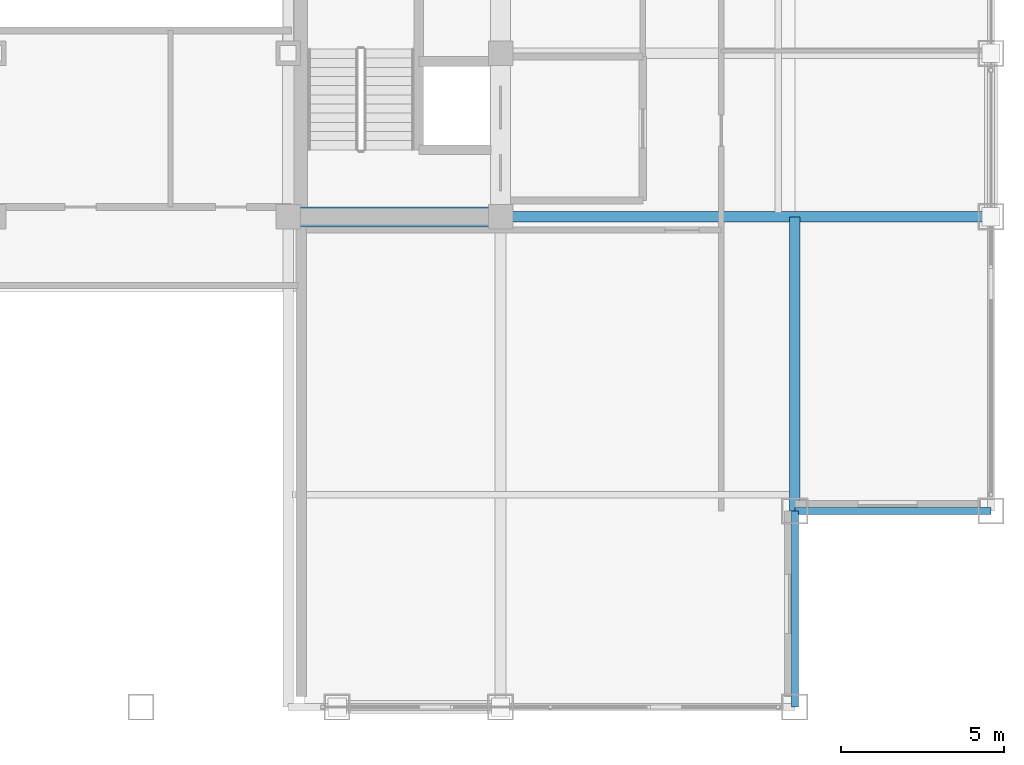
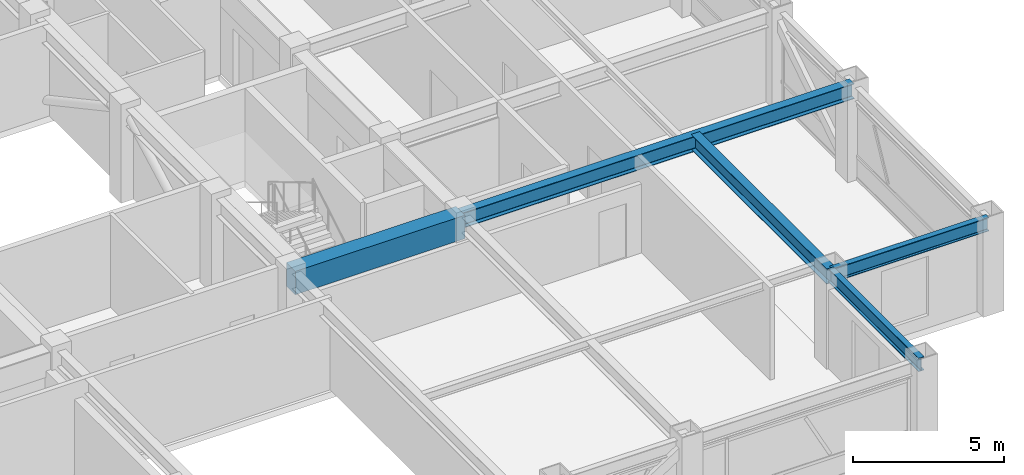
# One storey, part 11 of 29: 5 beams.
"""IFC4 building model written with IfcOpenShell, lengths in metres."""

from ifc_helpers import new_model, si_unit, direction, frame, origin, origin_2d, place, context, subcontext, project, spatial, rectangle, i_section, extrude, source, transform, mapped, material, material_profile, profile_set, type_object, element, save


model = new_model("IFC4")

# Units and contexts
model_context = context("Model", 3, precision=1e-05, world=origin(), true_north=direction((0.0, 1.0)))
body_context = subcontext(model_context, "Body", "Model", "MODEL_VIEW")
ifc_project = project(units=[si_unit("LENGTHUNIT", "METRE"), si_unit("AREAUNIT", "SQUARE_METRE"), si_unit("VOLUMEUNIT", "CUBIC_METRE"), si_unit("PLANEANGLEUNIT", "RADIAN"), si_unit("MASSUNIT", "GRAM", prefix="KILO")], contexts=[model_context])

# Site, building, storey
site_placement = place(None, origin())
site = spatial("IfcSite", under=ifc_project, at=site_placement, CompositionType="ELEMENT")
building_placement = place(site_placement, origin())
building = spatial("IfcBuilding", under=site, at=building_placement, Name="Khorayat Bourse Tower", CompositionType="ELEMENT")
storey_placement = place(building_placement, frame((0.0, 0.0, 350.300048828125)))
storey = spatial("IfcBuildingStorey", under=building, at=storey_placement, Name="L83", CompositionType="ELEMENT", Elevation=350.300048828125)

# Beams
ifc_material_1 = material(Name="Concrete C60/75", Category="concrete")
ifc_material_profile_1 = material_profile(ifc_material_1, rectangle(XDim=0.60009765625, YDim=0.949951171875, at=origin_2d()), Name="RC 600x950")
ifc_profile_set_1 = profile_set([ifc_material_profile_1], Name="Concrete C60/75")
beam_type_1 = type_object("IfcBeamType", Name="BM-COUP-950", PredefinedType="BEAM", material=ifc_profile_set_1)
shared_shape_1 = source(origin(), body_context, "Body", "SweptSolid", [
    extrude(rectangle(XDim=0.60009765625, YDim=0.949951171875, at=origin_2d()), origin(), (0.0, 0.0, 1.0), 6.5),
])
beam_1_placement = place(storey_placement, frame((4.5, -11.0, 3.264892578125), z_axis=(1.0, 0.0, 0.0), x_axis=(0.0, 1.0, 0.0)))
element("IfcBeam", 1, at=beam_1_placement, inside=storey, type_object=beam_type_1, Name="L83 BM-COUP-950 BM-L83-CRY-18", PredefinedType="BEAM", context=body_context, shape_type="MappedRepresentation", body=[
    mapped(shared_shape_1, transform((0.0, 0.0, 0.0), scale=1.0)),
])
ifc_material_2 = material(Name="Steel ASTM A992 Grade 50", Category="steel")
ifc_material_profile_2 = material_profile(ifc_material_2, i_section(OverallWidth=0.214111328125, OverallDepth=0.549072265625, WebThickness=0.0146484375, FlangeThickness=0.023681640625, FilletRadius=0.013916015625, at=origin_2d()), Name="W530X138")
ifc_profile_set_2 = profile_set([ifc_material_profile_2], Name="Steel ASTM A992 Grade 50")
beam_type_2 = type_object("IfcBeamType", Name="BM-SPAN-530", PredefinedType="SPANDREL", material=ifc_profile_set_2)
shared_shape_2 = source(origin(), body_context, "Body", "SweptSolid", [
    extrude(i_section(OverallWidth=0.214111328125, OverallDepth=0.549072265625, WebThickness=0.0146484375, FlangeThickness=0.023681640625, FilletRadius=0.013916015625, at=origin_2d()), origin(), (0.0, 0.0, 1.0), 6.0),
])
for number, where, z_axis, x_axis, name in (
    (2, (20.0, -26.0, 3.46533203125), (0.0, 1.0, 0.0), (-1.0, 0.0, 0.0), "L83 BM-SPAN-530 BM-L83-SPN-027"),
    (3, (20.0, -20.0, 3.46533203125), (1.0, 0.0, 0.0), (0.0, 1.0, 0.0), "L83 BM-SPAN-530 BM-L83-SPN-028"),
):
    element("IfcBeam", number, at=place(storey_placement, frame(where, z_axis=z_axis, x_axis=x_axis)), inside=storey, type_object=beam_type_2, Name=name, PredefinedType="SPANDREL", context=body_context, shape_type="MappedRepresentation", body=[
        mapped(shared_shape_2, transform((0.0, 0.0, 0.0), scale=1.0)),
    ])
ifc_material_profile_3 = material_profile(ifc_material_2, i_section(OverallWidth=0.324951171875, OverallDepth=0.615966796875, WebThickness=0.013916015625, FlangeThickness=0.021484375, FilletRadius=0.01611328125, at=origin_2d()), Name="W610X174")
ifc_profile_set_3 = profile_set([ifc_material_profile_3], Name="Steel ASTM A992 Grade 50")
beam_type_3 = type_object("IfcBeamType", Name="BM-GIRD-610", PredefinedType="BEAM", material=ifc_profile_set_3)
shared_shape_3 = source(origin(), body_context, "Body", "SweptSolid", [
    extrude(i_section(OverallWidth=0.324951171875, OverallDepth=0.615966796875, WebThickness=0.013916015625, FlangeThickness=0.021484375, FilletRadius=0.01611328125, at=origin_2d()), origin(), (0.0, 0.0, 1.0), 15.0),
])
beam_2_placement = place(storey_placement, frame((11.0, -11.0, 3.431884765625), z_axis=(1.0, 0.0, 0.0), x_axis=(0.0, 1.0, 0.0)))
element("IfcBeam", 4, at=beam_2_placement, inside=storey, type_object=beam_type_3, Name="L83 BM-GIRD-610 BM-L83-RADX-061", PredefinedType="BEAM", context=body_context, shape_type="MappedRepresentation", body=[
    mapped(shared_shape_3, transform((0.0, 0.0, 0.0), scale=1.0)),
])
shared_shape_4 = source(origin(), body_context, "Body", "SweptSolid", [
    extrude(i_section(OverallWidth=0.324951171875, OverallDepth=0.615966796875, WebThickness=0.013916015625, FlangeThickness=0.021484375, FilletRadius=0.01611328125, at=origin_2d()), origin(), (0.0, 0.0, 1.0), 9.0),
])
beam_3_placement = place(storey_placement, frame((20.0, -20.0, 3.431884765625), z_axis=(0.0, 1.0, 0.0), x_axis=(-1.0, 0.0, 0.0)))
element("IfcBeam", 5, at=beam_3_placement, inside=storey, type_object=beam_type_3, Name="L83 BM-GIRD-610 BM-L83-CNRY-073", PredefinedType="BEAM", context=body_context, shape_type="MappedRepresentation", body=[
    mapped(shared_shape_4, transform((0.0, 0.0, 0.0), scale=1.0)),
])

save(model, "model.ifc")
